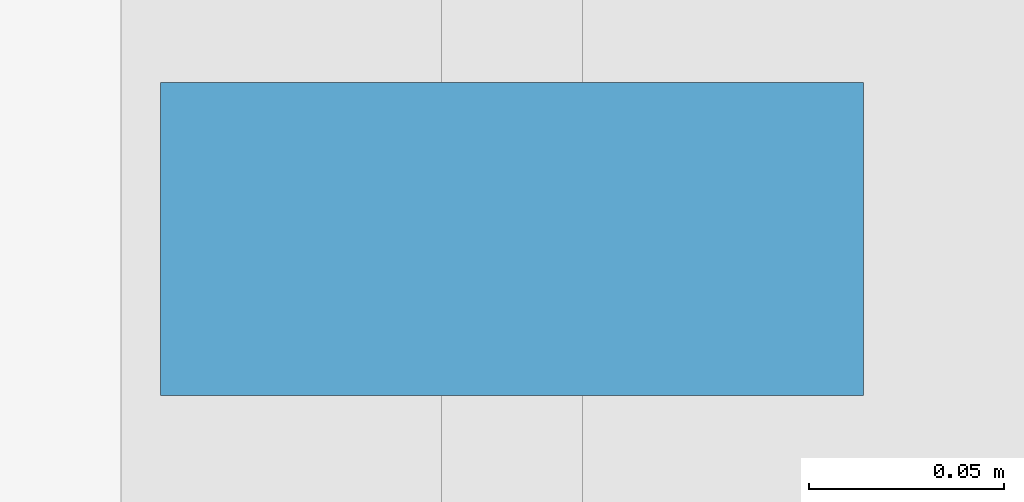
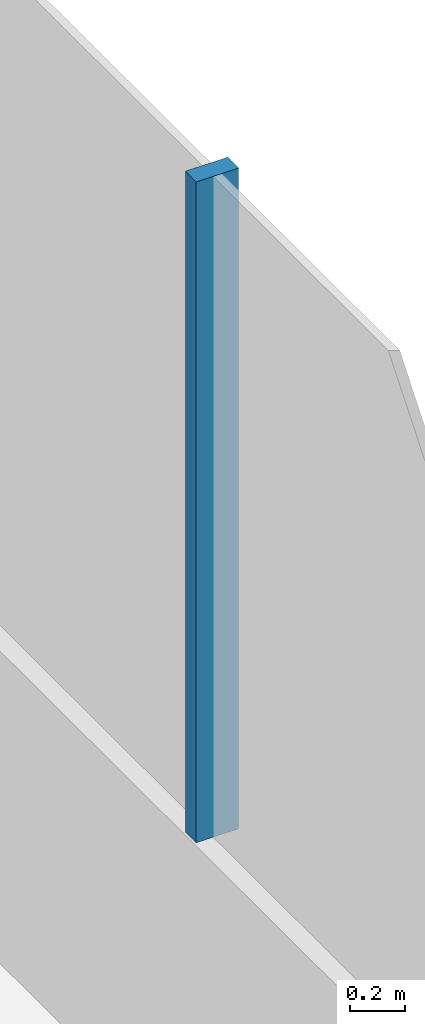
# One storey, part 12 of 37: 1 member, 1 element without a shape of its own.
"""IFC4 building model written with IfcOpenShell, lengths in metres."""

from ifc_helpers import new_model, si_unit, direction, frame, origin, origin_2d, place, context, subcontext, project, spatial, rectangle, extrude, material, layer, layer_set, material_profile, profile_set, type_object, element, aggregate, save


model = new_model("IFC4")

# Units and contexts
model_context = context("Model", 3, precision=1e-05, world=origin(), true_north=direction((0.0, 1.0)))
body_context = subcontext(model_context, "Body", "Model", "MODEL_VIEW")
ifc_project = project(units=[si_unit("LENGTHUNIT", "METRE"), si_unit("AREAUNIT", "SQUARE_METRE"), si_unit("VOLUMEUNIT", "CUBIC_METRE"), si_unit("PLANEANGLEUNIT", "RADIAN"), si_unit("MASSUNIT", "GRAM", prefix="KILO")], contexts=[model_context])

# Site, building, storey
site_placement = place(None, origin())
site = spatial("IfcSite", under=ifc_project, at=site_placement, CompositionType="ELEMENT")
building_placement = place(site_placement, origin())
building = spatial("IfcBuilding", under=site, at=building_placement, Name="Tamarind Cross Interchange Tower", CompositionType="ELEMENT")
storey_placement = place(building_placement, frame((0.0, 0.0, 29.5)))
storey = spatial("IfcBuildingStorey", under=building, at=storey_placement, Name="L05", CompositionType="ELEMENT", Elevation=29.5)

# Curtain wall, member
ifc_material = material(Name="Aluminium 6063-T6", Category="aluminium")
ifc_layer = layer(ifc_material, 0.179931640625)
ifc_layer_set = layer_set([ifc_layer], Name="Aluminium 6063-T6")
curtain_wall_type = type_object("IfcCurtainWallType", Name="Sky lobby curtain wall, fire-resisting glazing", PredefinedType="NOTDEFINED", material=ifc_layer_set)
curtain_wall_placement = place(storey_placement, origin())
curtain_wall = element("IfcCurtainWall", 1, at=curtain_wall_placement, inside=storey, type_object=curtain_wall_type, Name="CWS-L05-00", PredefinedType="NOTDEFINED")
ifc_material_profile = material_profile(ifc_material, rectangle(XDim=0.080078125, YDim=0.179931640625, at=origin_2d()), Name="Mullion CW4")
ifc_profile_set = profile_set([ifc_material_profile], Name="Aluminium 6063-T6")
member_type = type_object("IfcMemberType", Name="Mullion CW4", PredefinedType="MULLION", material=ifc_profile_set)
member_placement = place(storey_placement, frame((60.800048828125, 4.5439453125, 1.39990234375), z_axis=(0.0, 0.0, 1.0), x_axis=(0.0, 1.0, 0.0)))
member = element("IfcMember", 2, at=member_placement, type_object=member_type, Name="CWM-L05-00-12", PredefinedType="MULLION", context=body_context, shape_type="SweptSolid", body=[
    extrude(rectangle(XDim=0.080078125, YDim=0.179931640625, at=origin_2d()), origin(), (0.0, 0.0, 1.0), 2.960205078125),
])
aggregate(curtain_wall, [member])

save(model, "model.ifc")
